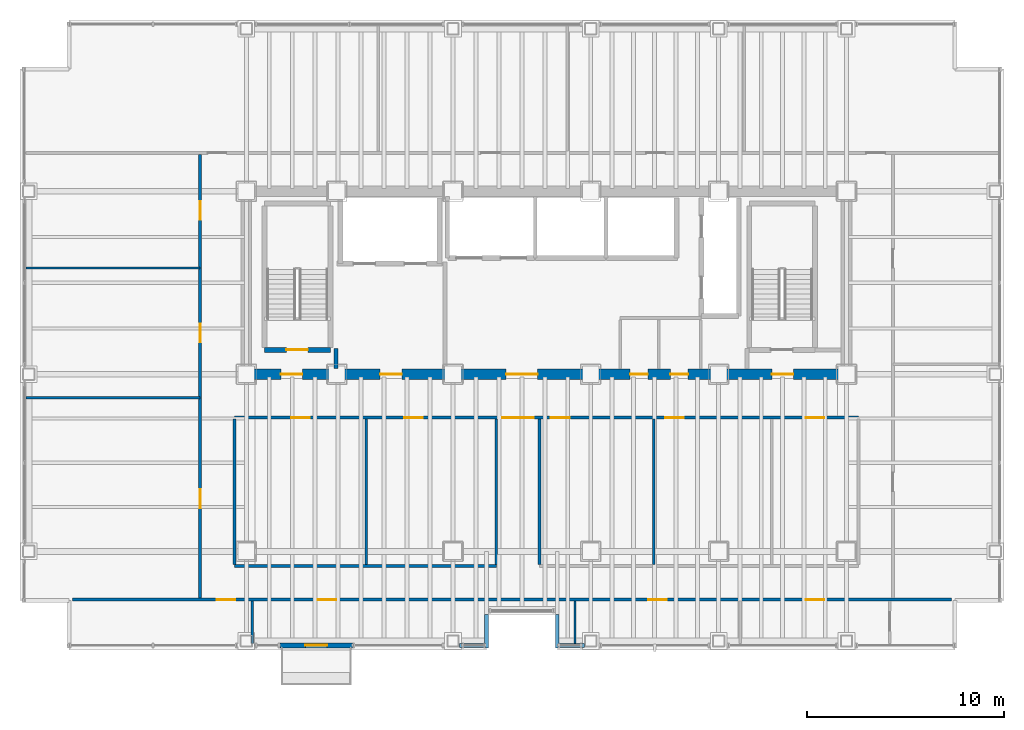
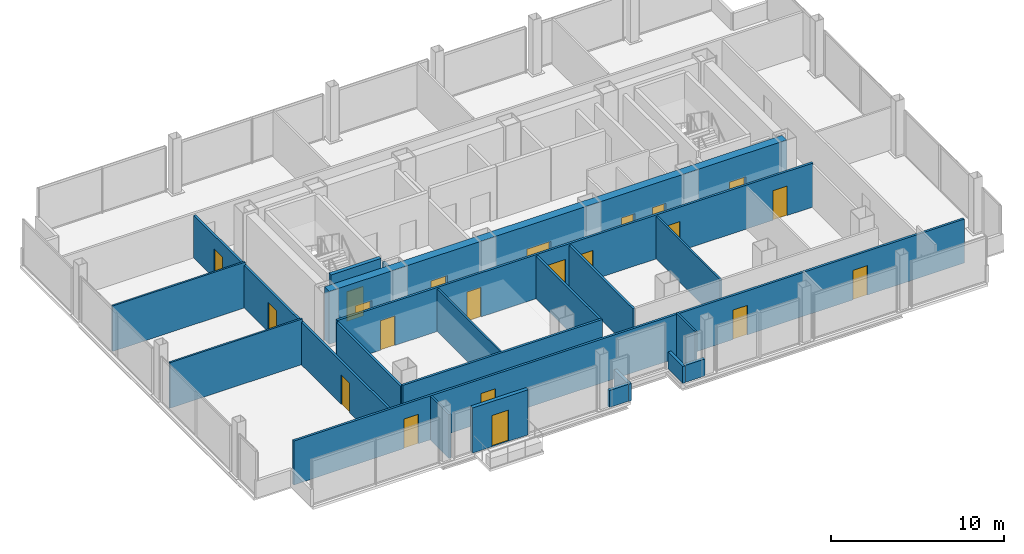
# One storey, part 18 of 21: 21 doors, 21 walls, 21 openings.
"""IFC4 building model written with IfcOpenShell, lengths in metres."""

from ifc_helpers import new_model, si_unit, direction, frame, frame_2d, origin, place, context, subcontext, project, spatial, rectangle, extrude, material, layer, layer_set, type_object, element, fill, save


model = new_model("IFC4")

# Units and contexts
model_context = context("Model", 3, precision=1e-05, world=origin(), true_north=direction((0.0, 1.0)))
body_context = subcontext(model_context, "Body", "Model", "MODEL_VIEW")
ifc_project = project(units=[si_unit("LENGTHUNIT", "METRE"), si_unit("AREAUNIT", "SQUARE_METRE"), si_unit("VOLUMEUNIT", "CUBIC_METRE"), si_unit("PLANEANGLEUNIT", "RADIAN"), si_unit("MASSUNIT", "GRAM", prefix="KILO")], contexts=[model_context])

# Site, building, storey
site_placement = place(None, origin())
site = spatial("IfcSite", under=ifc_project, at=site_placement, CompositionType="ELEMENT")
building_placement = place(site_placement, origin())
building = spatial("IfcBuilding", under=site, at=building_placement, Name="Noeulbin Bourse Tower", CompositionType="ELEMENT")
storey_placement = place(building_placement, frame((0.0, 0.0, 38.199951171875)))
storey = spatial("IfcBuildingStorey", under=building, at=storey_placement, Name="L09", CompositionType="ELEMENT", Elevation=38.199951171875)

# Wall, openings, doors
ifc_material_1 = material(Name="Concrete C60/75", Category="concrete")
ifc_layer_1 = layer(ifc_material_1, 0.550048828125)
ifc_layer_set_1 = layer_set([ifc_layer_1], Name="Concrete C60/75")
wall_type_1 = type_object("IfcWallType", Name="WAL-CORE-550", PredefinedType="SHEAR", material=ifc_layer_set_1)
wall_1_placement = place(storey_placement, frame((13.5, 29.0, 0.0), z_axis=(0.0, 0.0, 1.0), x_axis=(1.0, 0.0, 0.0)))
wall_1 = element("IfcWall", 1, at=wall_1_placement, inside=storey, type_object=wall_type_1, Name="Rear Core South Shear Wall L09", PredefinedType="SHEAR", context=body_context, shape_type="SweptSolid", body=[
    extrude(rectangle(XDim=30.5, YDim=0.550048828125, at=frame_2d((15.25, 0.0))), origin(), (0.0, 0.0, 1.0), 3.719970703125),
])
opening_1_placement = place(wall_1_placement, frame((1.75, 0.0, 0.0)))
opening_1 = element("IfcOpeningElement", 2, at=opening_1_placement, cuts=wall_1, Name="Opening FD-11", PredefinedType="OPENING", context=body_context, shape_type="SweptSolid", body=[
    extrude(rectangle(XDim=1.10009765625, YDim=2.080078125, at=frame_2d((0.550048828125, 1.0400390625))), frame((0.0, 0.284912109375, 0.0), z_axis=(0.0, -1.0, 0.0), x_axis=(1.0, 0.0, 0.0)), (0.0, 0.0, 1.0), 0.570068359375),
])
opening_2_placement = place(wall_1_placement, frame((26.699951171875, 0.0, 0.0)))
opening_2 = element("IfcOpeningElement", 3, at=opening_2_placement, cuts=wall_1, Name="Opening FD-11", PredefinedType="OPENING", context=body_context, shape_type="SweptSolid", body=[
    extrude(rectangle(XDim=1.10009765625, YDim=2.080078125, at=frame_2d((0.550048828125, 1.0400390625))), frame((0.0, 0.284912109375, 0.0), z_axis=(0.0, -1.0, 0.0), x_axis=(1.0, 0.0, 0.0)), (0.0, 0.0, 1.0), 0.570068359375),
])
opening_3_placement = place(wall_1_placement, frame((6.800048828125, 0.0, 0.0)))
opening_3 = element("IfcOpeningElement", 4, at=opening_3_placement, cuts=wall_1, Name="Opening FD-11", PredefinedType="OPENING", context=body_context, shape_type="SweptSolid", body=[
    extrude(rectangle(XDim=1.10009765625, YDim=2.080078125, at=frame_2d((0.550048828125, 1.0400390625))), frame((0.0, 0.284912109375, 0.0), z_axis=(0.0, -1.0, 0.0), x_axis=(1.0, 0.0, 0.0)), (0.0, 0.0, 1.0), 0.570068359375),
])
opening_4_placement = place(wall_1_placement, frame((13.199951171875, 0.0, 0.0)))
opening_4 = element("IfcOpeningElement", 5, at=opening_4_placement, cuts=wall_1, Name="Opening ID-16", PredefinedType="OPENING", context=body_context, shape_type="SweptSolid", body=[
    extrude(rectangle(XDim=1.60009765625, YDim=2.080078125, at=frame_2d((0.800048828125, 1.0400390625))), frame((0.0, 0.284912109375, 0.0), z_axis=(0.0, -1.0, 0.0), x_axis=(1.0, 0.0, 0.0)), (0.0, 0.0, 1.0), 0.570068359375),
])
opening_5_placement = place(wall_1_placement, frame((19.5, 0.0, 0.0)))
opening_5 = element("IfcOpeningElement", 6, at=opening_5_placement, cuts=wall_1, Name="Opening FD-09", PredefinedType="OPENING", context=body_context, shape_type="SweptSolid", body=[
    extrude(rectangle(XDim=0.89990234375, YDim=2.080078125, at=frame_2d((0.449951171875, 1.0400390625))), frame((0.0, 0.284912109375, 0.0), z_axis=(0.0, -1.0, 0.0), x_axis=(1.0, 0.0, 0.0)), (0.0, 0.0, 1.0), 0.570068359375),
])
opening_6_placement = place(wall_1_placement, frame((21.550048828125, 0.0, 0.0)))
opening_6 = element("IfcOpeningElement", 7, at=opening_6_placement, cuts=wall_1, Name="Opening FD-09", PredefinedType="OPENING", context=body_context, shape_type="SweptSolid", body=[
    extrude(rectangle(XDim=0.89990234375, YDim=2.080078125, at=frame_2d((0.449951171875, 1.0400390625))), frame((0.0, 0.284912109375, 0.0), z_axis=(0.0, -1.0, 0.0), x_axis=(1.0, 0.0, 0.0)), (0.0, 0.0, 1.0), 0.570068359375),
])
ifc_material_2 = material(Name="Acoustic Glazed Aluminium", Category="aluminium")
door_type_1 = type_object("IfcDoorType", Name="DR-DBL-1600", OperationType="DOUBLE_DOOR_SINGLE_SWING", PredefinedType="DOOR", material=ifc_material_2)
door_1_placement = place(opening_4_placement, origin())
door_1 = element("IfcDoor", 8, at=door_1_placement, inside=storey, type_object=door_type_1, Name="Passenger Lift Lobby Portal L09", OperationType="DOUBLE_DOOR_SINGLE_SWING", OverallHeight=2.080078125, OverallWidth=1.60009765625, PredefinedType="DOOR", context=body_context, shape_type="SweptSolid", body=[
    extrude(rectangle(XDim=1.60009765625, YDim=2.080078125, at=frame_2d((0.800048828125, 1.0400390625))), frame((0.0, 0.02490234375, 0.0), z_axis=(0.0, -1.0, 0.0), x_axis=(1.0, 0.0, 0.0)), (0.0, 0.0, 1.0), 0.050048828125),
])
fill(opening_4, door_1)
ifc_material_3 = material(Name="Fire-Rated Timber Core", Category="wood")
door_type_2 = type_object("IfcDoorType", Name="DR-FD30-900", OperationType="SINGLE_SWING_RIGHT", PredefinedType="DOOR", material=ifc_material_3)
door_2_placement = place(opening_5_placement, origin())
door_2 = element("IfcDoor", 9, at=door_2_placement, inside=storey, type_object=door_type_2, Name="Interior Door L09-05", OperationType="SINGLE_SWING_LEFT", OverallHeight=2.080078125, OverallWidth=0.89990234375, PredefinedType="DOOR", context=body_context, shape_type="SweptSolid", body=[
    extrude(rectangle(XDim=0.89990234375, YDim=2.080078125, at=frame_2d((0.449951171875, 1.0400390625))), frame((0.0, 0.02490234375, 0.0), z_axis=(0.0, -1.0, 0.0), x_axis=(1.0, 0.0, 0.0)), (0.0, 0.0, 1.0), 0.050048828125),
])
fill(opening_5, door_2)
door_3_placement = place(opening_6_placement, origin())
door_3 = element("IfcDoor", 10, at=door_3_placement, inside=storey, type_object=door_type_2, Name="Interior Door L09-06", OperationType="SINGLE_SWING_RIGHT", OverallHeight=2.080078125, OverallWidth=0.89990234375, PredefinedType="DOOR", context=body_context, shape_type="SweptSolid", body=[
    extrude(rectangle(XDim=0.89990234375, YDim=2.080078125, at=frame_2d((0.449951171875, 1.0400390625))), frame((0.0, 0.02490234375, 0.0), z_axis=(0.0, -1.0, 0.0), x_axis=(1.0, 0.0, 0.0)), (0.0, 0.0, 1.0), 0.050048828125),
])
fill(opening_6, door_3)
ifc_material_4 = material(Name="Fire-Rated Insulated Steel", Category="steel")
door_type_3 = type_object("IfcDoorType", Name="DR-FD60-1100", OperationType="SINGLE_SWING_LEFT", PredefinedType="DOOR", material=ifc_material_4)
door_4_placement = place(opening_1_placement, origin())
door_4 = element("IfcDoor", 11, at=door_4_placement, inside=storey, type_object=door_type_3, Name="West Stair Lobby Door L09", OperationType="SINGLE_SWING_LEFT", OverallHeight=2.080078125, OverallWidth=1.10009765625, PredefinedType="DOOR", context=body_context, shape_type="SweptSolid", body=[
    extrude(rectangle(XDim=1.10009765625, YDim=2.080078125, at=frame_2d((0.550048828125, 1.0400390625))), frame((0.0, 0.02490234375, 0.0), z_axis=(0.0, -1.0, 0.0), x_axis=(1.0, 0.0, 0.0)), (0.0, 0.0, 1.0), 0.050048828125),
])
fill(opening_1, door_4)
door_5_placement = place(opening_2_placement, origin())
door_5 = element("IfcDoor", 12, at=door_5_placement, inside=storey, type_object=door_type_3, Name="East Stair Lobby Door L09", OperationType="SINGLE_SWING_RIGHT", OverallHeight=2.080078125, OverallWidth=1.10009765625, PredefinedType="DOOR", context=body_context, shape_type="SweptSolid", body=[
    extrude(rectangle(XDim=1.10009765625, YDim=2.080078125, at=frame_2d((0.550048828125, 1.0400390625))), frame((0.0, 0.02490234375, 0.0), z_axis=(0.0, -1.0, 0.0), x_axis=(1.0, 0.0, 0.0)), (0.0, 0.0, 1.0), 0.050048828125),
])
fill(opening_2, door_5)
door_6_placement = place(opening_3_placement, origin())
door_6 = element("IfcDoor", 13, at=door_6_placement, inside=storey, type_object=door_type_3, Name="Firefighting Lobby Door L09", OperationType="SINGLE_SWING_LEFT", OverallHeight=2.080078125, OverallWidth=1.10009765625, PredefinedType="DOOR", context=body_context, shape_type="SweptSolid", body=[
    extrude(rectangle(XDim=1.10009765625, YDim=2.080078125, at=frame_2d((0.550048828125, 1.0400390625))), frame((0.0, 0.02490234375, 0.0), z_axis=(0.0, -1.0, 0.0), x_axis=(1.0, 0.0, 0.0)), (0.0, 0.0, 1.0), 0.050048828125),
])
fill(opening_3, door_6)

# Wall, opening, door
ifc_material_5 = material(Name="Precast Concrete C40/50", Category="concrete")
ifc_layer_2 = layer(ifc_material_5, 0.25)
ifc_layer_set_2 = layer_set([ifc_layer_2], Name="Precast Concrete C40/50")
wall_type_2 = type_object("IfcWallType", Name="WAL-EXT-250", PredefinedType="STANDARD", material=ifc_layer_set_2)
wall_2_placement = place(storey_placement, frame((15.199951171875, 15.219970703125, 0.0), z_axis=(0.0, 0.0, 1.0), x_axis=(1.0, 0.0, 0.0)))
wall_2 = element("IfcWall", 14, at=wall_2_placement, inside=storey, type_object=wall_type_2, Name="Balcony Threshold Wall L09", PredefinedType="STANDARD", context=body_context, shape_type="SweptSolid", body=[
    extrude(rectangle(XDim=3.699951171875, YDim=0.25, at=frame_2d((1.85009765625, 0.0))), origin(), (0.0, 0.0, 1.0), 3.179931640625),
])
opening_7_placement = place(wall_2_placement, frame((1.300048828125, 0.0, 0.0)))
opening_7 = element("IfcOpeningElement", 15, at=opening_7_placement, cuts=wall_2, Name="Opening BD-11", PredefinedType="OPENING", context=body_context, shape_type="SweptSolid", body=[
    extrude(rectangle(XDim=1.10009765625, YDim=2.199951171875, at=frame_2d((0.550048828125, 1.10009765625))), frame((0.0, 0.135009765625, 0.0), z_axis=(0.0, -1.0, 0.0), x_axis=(1.0, 0.0, 0.0)), (0.0, 0.0, 1.0), 0.27001953125),
])
ifc_material_6 = material(Name="Thermally Broken Aluminium Framed Glass", Category="aluminium")
door_type_4 = type_object("IfcDoorType", Name="DR-BAL-1100", OperationType="SINGLE_SWING_LEFT", PredefinedType="DOOR", material=ifc_material_6)
door_7_placement = place(opening_7_placement, origin())
door_7 = element("IfcDoor", 16, at=door_7_placement, inside=storey, type_object=door_type_4, Name="Tree-Balcony Access Door BD-L09", OperationType="SINGLE_SWING_LEFT", OverallHeight=2.199951171875, OverallWidth=1.10009765625, PredefinedType="DOOR", context=body_context, shape_type="SweptSolid", body=[
    extrude(rectangle(XDim=1.10009765625, YDim=2.199951171875, at=frame_2d((0.550048828125, 1.10009765625))), frame((0.0, 0.02490234375, 0.0), z_axis=(0.0, -1.0, 0.0), x_axis=(1.0, 0.0, 0.0)), (0.0, 0.0, 1.0), 0.050048828125),
])
fill(opening_7, door_7)

# Walls
ifc_material_7 = material(Name="Concrete C40/50", Category="concrete")
ifc_layer_3 = layer(ifc_material_7, 0.199951171875)
ifc_layer_set_3 = layer_set([ifc_layer_3], Name="Concrete C40/50")
wall_type_3 = type_object("IfcWallType", Name="WAL-FIRE-200", PredefinedType="STANDARD", material=ifc_layer_set_3)
wall_3_placement = place(storey_placement, frame((18.050048828125, 29.284912109375, 0.0), z_axis=(0.0, 0.0, 1.0), x_axis=(0.0, 1.0, 0.0)))
element("IfcWall", 17, at=wall_3_placement, inside=storey, type_object=wall_type_3, Name="Interior Partition Wall L09-11", PredefinedType="STANDARD", context=body_context, shape_type="SweptSolid", body=[
    extrude(rectangle(XDim=1.01513671875, YDim=0.199951171875, at=frame_2d((0.507568359375, 0.0))), origin(), (0.0, 0.0, 1.0), 3.300048828125),
])
ifc_layer_4 = layer(ifc_material_7, 0.199951171875)
ifc_layer_set_4 = layer_set([ifc_layer_4], Name="Concrete C40/50")
wall_type_4 = type_object("IfcWallType", Name="WAL-PAR-200", PredefinedType="PARAPET", material=ifc_layer_set_4)
for number, where, z_axis, x_axis, name in (
    (18, (24.320068359375, 15.219970703125, 0.0), (0.0, 0.0, 1.0), (1.0, 0.0, 0.0), "Perimeter Pier Spandrel Parapet L09-S1"),
    (19, (29.35009765625, 15.219970703125, 0.0), (0.0, 0.0, 1.0), (1.0, 0.0, 0.0), "Perimeter Pier Spandrel Parapet L09-S2"),
):
    element("IfcWall", number, at=place(storey_placement, frame(where, z_axis=z_axis, x_axis=x_axis)), inside=storey, type_object=wall_type_4, Name=name, PredefinedType="PARAPET", context=body_context, shape_type="SweptSolid", body=[
        extrude(rectangle(XDim=1.329833984375, YDim=0.199951171875, at=frame_2d((0.6650390625, 0.0))), origin(), (0.0, 0.0, 1.0), 1.199951171875),
    ])
for number, where, z_axis, x_axis, name in (
    (20, (25.699951171875, 15.10009765625, 0.0), (0.0, 0.0, 1.0), (0.0, 1.0, 0.0), "Sky-Garden Recess Parapet L09-W"),
    (21, (29.300048828125, 16.800048828125, 0.0), (0.0, 0.0, 1.0), (0.0, -1.0, 0.0), "Sky-Garden Recess Parapet L09-E"),
):
    element("IfcWall", number, at=place(storey_placement, frame(where, z_axis=z_axis, x_axis=x_axis)), inside=storey, type_object=wall_type_4, Name=name, PredefinedType="PARAPET", context=body_context, shape_type="SweptSolid", body=[
        extrude(rectangle(XDim=1.699951171875, YDim=0.199951171875, at=frame_2d((0.85009765625, 0.0))), origin(), (0.0, 0.0, 1.0), 1.199951171875),
    ])
ifc_material_8 = material(Name="Steel Stud Gypsum Partition", Category="steel")
ifc_layer_5 = layer(ifc_material_8, 0.1201171875)
ifc_layer_set_5 = layer_set([ifc_layer_5], Name="Steel Stud Gypsum Partition")
wall_type_5 = type_object("IfcWallType", Name="WAL-PRT-120", PredefinedType="PARTITIONING", material=ifc_layer_set_5)
for number, where, z_axis, x_axis, name in (
    (22, (2.31005859375, 27.800048828125, 0.0), (0.0, 0.0, 1.0), (1.0, 0.0, 0.0), "Interior Partition Wall L09-07"),
    (23, (2.31005859375, 34.39990234375, 0.0), (0.0, 0.0, 1.0), (1.0, 0.0, 0.0), "Interior Partition Wall L09-08"),
):
    element("IfcWall", number, at=place(storey_placement, frame(where, z_axis=z_axis, x_axis=x_axis)), inside=storey, type_object=wall_type_5, Name=name, PredefinedType="PARTITIONING", context=body_context, shape_type="SweptSolid", body=[
        extrude(rectangle(XDim=8.83984375, YDim=0.1201171875, at=frame_2d((4.419921875, 0.0))), origin(), (0.0, 0.0, 1.0), 3.212158203125),
    ])
wall_4_placement = place(storey_placement, frame((13.800048828125, 15.31005859375, 0.0), z_axis=(0.0, 0.0, 1.0), x_axis=(0.0, 1.0, 0.0)))
element("IfcWall", 24, at=wall_4_placement, inside=storey, type_object=wall_type_5, Name="Interior Partition Wall L09-23", PredefinedType="PARTITIONING", context=body_context, shape_type="SweptSolid", body=[
    extrude(rectangle(XDim=2.155029296875, YDim=0.1201171875, at=frame_2d((1.07763671875, 0.0))), origin(), (0.0, 0.0, 1.0), 3.10009765625),
])
wall_5_placement = place(storey_placement, frame((30.199951171875, 15.31005859375, 0.0), z_axis=(0.0, 0.0, 1.0), x_axis=(0.0, 1.0, 0.0)))
element("IfcWall", 25, at=wall_5_placement, inside=storey, type_object=wall_type_5, Name="Interior Partition Wall L09-24", PredefinedType="PARTITIONING", context=body_context, shape_type="SweptSolid", body=[
    extrude(rectangle(XDim=2.155029296875, YDim=0.1201171875, at=frame_2d((1.07763671875, 0.0))), origin(), (0.0, 0.0, 1.0), 3.212158203125),
])
for number, where, z_axis, x_axis, name in (
    (26, (19.60009765625, 19.3349609375, 0.0), (0.0, 0.0, 1.0), (0.0, 1.0, 0.0), "Interior Partition Wall L09-27"),
    (27, (34.199951171875, 19.3349609375, 0.0), (0.0, 0.0, 1.0), (0.0, 1.0, 0.0), "Interior Partition Wall L09-28"),
):
    element("IfcWall", number, at=place(storey_placement, frame(where, z_axis=z_axis, x_axis=x_axis)), inside=storey, type_object=wall_type_5, Name=name, PredefinedType="PARTITIONING", context=body_context, shape_type="SweptSolid", body=[
        extrude(rectangle(XDim=7.380126953125, YDim=0.1201171875, at=frame_2d((3.68994140625, 0.0))), origin(), (0.0, 0.0, 1.0), 3.0),
    ])

# Wall, openings, doors
ifc_material_9 = material(Name="Steel Stud Acoustic Gypsum Board", Category="steel")
ifc_layer_6 = layer(ifc_material_9, 0.14990234375)
ifc_layer_set_6 = layer_set([ifc_layer_6], Name="Steel Stud Acoustic Gypsum Board")
wall_type_6 = type_object("IfcWallType", Name="WAL-PRT-150", PredefinedType="PARTITIONING", material=ifc_layer_set_6)
wall_6_placement = place(storey_placement, frame((12.89990234375, 26.800048828125, 0.0), z_axis=(0.0, 0.0, 1.0), x_axis=(1.0, 0.0, 0.0)))
wall_6 = element("IfcWall", 28, at=wall_6_placement, inside=storey, type_object=wall_type_6, Name="Interior Partition Wall L09-03", PredefinedType="PARTITIONING", context=body_context, shape_type="SweptSolid", body=[
    extrude(rectangle(XDim=31.7001953125, YDim=0.14990234375, at=frame_2d((15.85009765625, 0.0))), origin(), (0.0, 0.0, 1.0), 3.10009765625),
])
opening_8_placement = place(wall_6_placement, frame((13.60009765625, 0.0, 0.0)))
opening_8 = element("IfcOpeningElement", 29, at=opening_8_placement, cuts=wall_6, Name="Opening ID-16", PredefinedType="OPENING", context=body_context, shape_type="SweptSolid", body=[
    extrude(rectangle(XDim=1.60009765625, YDim=2.080078125, at=frame_2d((0.800048828125, 1.0400390625))), frame((0.0, 0.0849609375, 0.0), z_axis=(0.0, -1.0, 0.0), x_axis=(1.0, 0.0, 0.0)), (0.0, 0.0, 1.0), 0.169921875),
])
opening_9_placement = place(wall_6_placement, frame((2.875, 0.0, 0.0)))
opening_9 = element("IfcOpeningElement", 30, at=opening_9_placement, cuts=wall_6, Name="Opening ID-09", PredefinedType="OPENING", context=body_context, shape_type="SweptSolid", body=[
    extrude(rectangle(XDim=0.949951171875, YDim=2.080078125, at=frame_2d((0.47509765625, 1.0400390625))), frame((0.0, 0.0849609375, 0.0), z_axis=(0.0, -1.0, 0.0), x_axis=(1.0, 0.0, 0.0)), (0.0, 0.0, 1.0), 0.169921875),
])
opening_10_placement = place(wall_6_placement, frame((8.625, 0.0, 0.0)))
opening_10 = element("IfcOpeningElement", 31, at=opening_10_placement, cuts=wall_6, Name="Opening ID-09", PredefinedType="OPENING", context=body_context, shape_type="SweptSolid", body=[
    extrude(rectangle(XDim=0.949951171875, YDim=2.080078125, at=frame_2d((0.47509765625, 1.0400390625))), frame((0.0, 0.0849609375, 0.0), z_axis=(0.0, -1.0, 0.0), x_axis=(1.0, 0.0, 0.0)), (0.0, 0.0, 1.0), 0.169921875),
])
opening_11_placement = place(wall_6_placement, frame((16.074951171875, 0.0, 0.0)))
opening_11 = element("IfcOpeningElement", 32, at=opening_11_placement, cuts=wall_6, Name="Opening ID-09", PredefinedType="OPENING", context=body_context, shape_type="SweptSolid", body=[
    extrude(rectangle(XDim=0.949951171875, YDim=2.080078125, at=frame_2d((0.47509765625, 1.0400390625))), frame((0.0, 0.0849609375, 0.0), z_axis=(0.0, -1.0, 0.0), x_axis=(1.0, 0.0, 0.0)), (0.0, 0.0, 1.0), 0.169921875),
])
opening_12_placement = place(wall_6_placement, frame((21.875, 0.0, 0.0)))
opening_12 = element("IfcOpeningElement", 33, at=opening_12_placement, cuts=wall_6, Name="Opening ID-09", PredefinedType="OPENING", context=body_context, shape_type="SweptSolid", body=[
    extrude(rectangle(XDim=0.949951171875, YDim=2.080078125, at=frame_2d((0.47509765625, 1.0400390625))), frame((0.0, 0.0849609375, 0.0), z_axis=(0.0, -1.0, 0.0), x_axis=(1.0, 0.0, 0.0)), (0.0, 0.0, 1.0), 0.169921875),
])
opening_13_placement = place(wall_6_placement, frame((29.02490234375, 0.0, 0.0)))
opening_13 = element("IfcOpeningElement", 34, at=opening_13_placement, cuts=wall_6, Name="Opening ID-09", PredefinedType="OPENING", context=body_context, shape_type="SweptSolid", body=[
    extrude(rectangle(XDim=0.949951171875, YDim=2.080078125, at=frame_2d((0.47509765625, 1.0400390625))), frame((0.0, 0.0849609375, 0.0), z_axis=(0.0, -1.0, 0.0), x_axis=(1.0, 0.0, 0.0)), (0.0, 0.0, 1.0), 0.169921875),
])
door_8_placement = place(opening_8_placement, origin())
door_8 = element("IfcDoor", 35, at=door_8_placement, inside=storey, type_object=door_type_1, Name="Interior Door L09-07", OperationType="DOUBLE_DOOR_SINGLE_SWING", OverallHeight=2.080078125, OverallWidth=1.60009765625, PredefinedType="DOOR", context=body_context, shape_type="SweptSolid", body=[
    extrude(rectangle(XDim=1.60009765625, YDim=2.080078125, at=frame_2d((0.800048828125, 1.0400390625))), frame((0.0, 0.02490234375, 0.0), z_axis=(0.0, -1.0, 0.0), x_axis=(1.0, 0.0, 0.0)), (0.0, 0.0, 1.0), 0.050048828125),
])
fill(opening_8, door_8)
ifc_material_10 = material(Name="Acoustic Solid-Core Timber", Category="wood")
door_type_5 = type_object("IfcDoorType", Name="DR-SINGLE-950", OperationType="SINGLE_SWING_LEFT", PredefinedType="DOOR", material=ifc_material_10)
door_9_placement = place(opening_9_placement, origin())
door_9 = element("IfcDoor", 36, at=door_9_placement, inside=storey, type_object=door_type_5, Name="Interior Door L09-13", OperationType="SINGLE_SWING_LEFT", OverallHeight=2.080078125, OverallWidth=0.949951171875, PredefinedType="DOOR", context=body_context, shape_type="SweptSolid", body=[
    extrude(rectangle(XDim=0.949951171875, YDim=2.080078125, at=frame_2d((0.47509765625, 1.0400390625))), frame((0.0, 0.02490234375, 0.0), z_axis=(0.0, -1.0, 0.0), x_axis=(1.0, 0.0, 0.0)), (0.0, 0.0, 1.0), 0.050048828125),
])
fill(opening_9, door_9)
door_10_placement = place(opening_10_placement, origin())
door_10 = element("IfcDoor", 37, at=door_10_placement, inside=storey, type_object=door_type_5, Name="Interior Door L09-14", OperationType="SINGLE_SWING_RIGHT", OverallHeight=2.080078125, OverallWidth=0.949951171875, PredefinedType="DOOR", context=body_context, shape_type="SweptSolid", body=[
    extrude(rectangle(XDim=0.949951171875, YDim=2.080078125, at=frame_2d((0.47509765625, 1.0400390625))), frame((0.0, 0.02490234375, 0.0), z_axis=(0.0, -1.0, 0.0), x_axis=(1.0, 0.0, 0.0)), (0.0, 0.0, 1.0), 0.050048828125),
])
fill(opening_10, door_10)
door_11_placement = place(opening_11_placement, origin())
door_11 = element("IfcDoor", 38, at=door_11_placement, inside=storey, type_object=door_type_5, Name="Interior Door L09-15", OperationType="SINGLE_SWING_LEFT", OverallHeight=2.080078125, OverallWidth=0.949951171875, PredefinedType="DOOR", context=body_context, shape_type="SweptSolid", body=[
    extrude(rectangle(XDim=0.949951171875, YDim=2.080078125, at=frame_2d((0.47509765625, 1.0400390625))), frame((0.0, 0.02490234375, 0.0), z_axis=(0.0, -1.0, 0.0), x_axis=(1.0, 0.0, 0.0)), (0.0, 0.0, 1.0), 0.050048828125),
])
fill(opening_11, door_11)
door_12_placement = place(opening_12_placement, origin())
door_12 = element("IfcDoor", 39, at=door_12_placement, inside=storey, type_object=door_type_5, Name="Interior Door L09-16", OperationType="SINGLE_SWING_RIGHT", OverallHeight=2.080078125, OverallWidth=0.949951171875, PredefinedType="DOOR", context=body_context, shape_type="SweptSolid", body=[
    extrude(rectangle(XDim=0.949951171875, YDim=2.080078125, at=frame_2d((0.47509765625, 1.0400390625))), frame((0.0, 0.02490234375, 0.0), z_axis=(0.0, -1.0, 0.0), x_axis=(1.0, 0.0, 0.0)), (0.0, 0.0, 1.0), 0.050048828125),
])
fill(opening_12, door_12)
door_13_placement = place(opening_13_placement, origin())
door_13 = element("IfcDoor", 40, at=door_13_placement, inside=storey, type_object=door_type_5, Name="Interior Door L09-17", OperationType="SINGLE_SWING_LEFT", OverallHeight=2.080078125, OverallWidth=0.949951171875, PredefinedType="DOOR", context=body_context, shape_type="SweptSolid", body=[
    extrude(rectangle(XDim=0.949951171875, YDim=2.080078125, at=frame_2d((0.47509765625, 1.0400390625))), frame((0.0, 0.02490234375, 0.0), z_axis=(0.0, -1.0, 0.0), x_axis=(1.0, 0.0, 0.0)), (0.0, 0.0, 1.0), 0.050048828125),
])
fill(opening_13, door_13)

wall_7_placement = place(storey_placement, frame((4.659912109375, 17.550048828125, 0.0), z_axis=(0.0, 0.0, 1.0), x_axis=(1.0, 0.0, 0.0)))
wall_7 = element("IfcWall", 41, at=wall_7_placement, inside=storey, type_object=wall_type_6, Name="Interior Partition Wall L09-04", PredefinedType="PARTITIONING", context=body_context, shape_type="SweptSolid", body=[
    extrude(rectangle(XDim=44.68017578125, YDim=0.14990234375, at=frame_2d((22.340087890625, 0.0))), origin(), (0.0, 0.0, 1.0), 3.10009765625),
])
opening_14_placement = place(wall_7_placement, frame((7.340087890625, 0.0, 0.0)))
opening_14 = element("IfcOpeningElement", 42, at=opening_14_placement, cuts=wall_7, Name="Opening ID-09", PredefinedType="OPENING", context=body_context, shape_type="SweptSolid", body=[
    extrude(rectangle(XDim=0.949951171875, YDim=2.080078125, at=frame_2d((0.47509765625, 1.0400390625))), frame((0.0, 0.0849609375, 0.0), z_axis=(0.0, -1.0, 0.0), x_axis=(1.0, 0.0, 0.0)), (0.0, 0.0, 1.0), 0.169921875),
])
opening_15_placement = place(wall_7_placement, frame((12.465087890625, 0.0, 0.0)))
opening_15 = element("IfcOpeningElement", 43, at=opening_15_placement, cuts=wall_7, Name="Opening ID-09", PredefinedType="OPENING", context=body_context, shape_type="SweptSolid", body=[
    extrude(rectangle(XDim=0.949951171875, YDim=2.080078125, at=frame_2d((0.47509765625, 1.0400390625))), frame((0.0, 0.0849609375, 0.0), z_axis=(0.0, -1.0, 0.0), x_axis=(1.0, 0.0, 0.0)), (0.0, 0.0, 1.0), 0.169921875),
])
opening_16_placement = place(wall_7_placement, frame((29.264892578125, 0.0, 0.0)))
opening_16 = element("IfcOpeningElement", 44, at=opening_16_placement, cuts=wall_7, Name="Opening ID-09", PredefinedType="OPENING", context=body_context, shape_type="SweptSolid", body=[
    extrude(rectangle(XDim=0.949951171875, YDim=2.080078125, at=frame_2d((0.47509765625, 1.0400390625))), frame((0.0, 0.0849609375, 0.0), z_axis=(0.0, -1.0, 0.0), x_axis=(1.0, 0.0, 0.0)), (0.0, 0.0, 1.0), 0.169921875),
])
opening_17_placement = place(wall_7_placement, frame((37.264892578125, 0.0, 0.0)))
opening_17 = element("IfcOpeningElement", 45, at=opening_17_placement, cuts=wall_7, Name="Opening ID-09", PredefinedType="OPENING", context=body_context, shape_type="SweptSolid", body=[
    extrude(rectangle(XDim=0.949951171875, YDim=2.080078125, at=frame_2d((0.47509765625, 1.0400390625))), frame((0.0, 0.0849609375, 0.0), z_axis=(0.0, -1.0, 0.0), x_axis=(1.0, 0.0, 0.0)), (0.0, 0.0, 1.0), 0.169921875),
])
door_14_placement = place(opening_14_placement, origin())
door_14 = element("IfcDoor", 46, at=door_14_placement, inside=storey, type_object=door_type_5, Name="Interior Door L09-08", OperationType="SINGLE_SWING_RIGHT", OverallHeight=2.080078125, OverallWidth=0.949951171875, PredefinedType="DOOR", context=body_context, shape_type="SweptSolid", body=[
    extrude(rectangle(XDim=0.949951171875, YDim=2.080078125, at=frame_2d((0.47509765625, 1.0400390625))), frame((0.0, 0.02490234375, 0.0), z_axis=(0.0, -1.0, 0.0), x_axis=(1.0, 0.0, 0.0)), (0.0, 0.0, 1.0), 0.050048828125),
])
fill(opening_14, door_14)
door_15_placement = place(opening_15_placement, origin())
door_15 = element("IfcDoor", 47, at=door_15_placement, inside=storey, type_object=door_type_5, Name="Interior Door L09-09", OperationType="SINGLE_SWING_LEFT", OverallHeight=2.080078125, OverallWidth=0.949951171875, PredefinedType="DOOR", context=body_context, shape_type="SweptSolid", body=[
    extrude(rectangle(XDim=0.949951171875, YDim=2.080078125, at=frame_2d((0.47509765625, 1.0400390625))), frame((0.0, 0.02490234375, 0.0), z_axis=(0.0, -1.0, 0.0), x_axis=(1.0, 0.0, 0.0)), (0.0, 0.0, 1.0), 0.050048828125),
])
fill(opening_15, door_15)
door_16_placement = place(opening_16_placement, origin())
door_16 = element("IfcDoor", 48, at=door_16_placement, inside=storey, type_object=door_type_5, Name="Interior Door L09-10", OperationType="SINGLE_SWING_RIGHT", OverallHeight=2.080078125, OverallWidth=0.949951171875, PredefinedType="DOOR", context=body_context, shape_type="SweptSolid", body=[
    extrude(rectangle(XDim=0.949951171875, YDim=2.080078125, at=frame_2d((0.47509765625, 1.0400390625))), frame((0.0, 0.02490234375, 0.0), z_axis=(0.0, -1.0, 0.0), x_axis=(1.0, 0.0, 0.0)), (0.0, 0.0, 1.0), 0.050048828125),
])
fill(opening_16, door_16)
door_17_placement = place(opening_17_placement, origin())
door_17 = element("IfcDoor", 49, at=door_17_placement, inside=storey, type_object=door_type_5, Name="Interior Door L09-11", OperationType="SINGLE_SWING_LEFT", OverallHeight=2.080078125, OverallWidth=0.949951171875, PredefinedType="DOOR", context=body_context, shape_type="SweptSolid", body=[
    extrude(rectangle(XDim=0.949951171875, YDim=2.080078125, at=frame_2d((0.47509765625, 1.0400390625))), frame((0.0, 0.02490234375, 0.0), z_axis=(0.0, -1.0, 0.0), x_axis=(1.0, 0.0, 0.0)), (0.0, 0.0, 1.0), 0.050048828125),
])
fill(opening_17, door_17)

# Walls
wall_8_placement = place(storey_placement, frame((12.89990234375, 19.25, 0.0), z_axis=(0.0, 0.0, 1.0), x_axis=(1.0, 0.0, 0.0)))
element("IfcWall", 50, at=wall_8_placement, inside=storey, type_object=wall_type_6, Name="Interior Partition Wall L09-05", PredefinedType="PARTITIONING", context=body_context, shape_type="SweptSolid", body=[
    extrude(rectangle(XDim=13.300048828125, YDim=0.14990234375, at=frame_2d((6.64990234375, 0.0))), origin(), (0.0, 0.0, 1.0), 3.10009765625),
])
for number, where, z_axis, x_axis, name in (
    (51, (26.199951171875, 19.3349609375, 0.0), (0.0, 0.0, 1.0), (0.0, 1.0, 0.0), "Interior Partition Wall L09-17"),
    (52, (28.39990234375, 19.3349609375, 0.0), (0.0, 0.0, 1.0), (0.0, 1.0, 0.0), "Interior Partition Wall L09-18"),
):
    element("IfcWall", number, at=place(storey_placement, frame(where, z_axis=z_axis, x_axis=x_axis)), inside=storey, type_object=wall_type_6, Name=name, PredefinedType="PARTITIONING", context=body_context, shape_type="SweptSolid", body=[
        extrude(rectangle(XDim=7.380126953125, YDim=0.14990234375, at=frame_2d((3.68994140625, 0.0))), origin(), (0.0, 0.0, 1.0), 3.0),
    ])

# Wall, openings, doors
wall_9_placement = place(storey_placement, frame((11.14990234375, 17.635009765625, 0.0), z_axis=(0.0, 0.0, 1.0), x_axis=(0.0, 1.0, 0.0)))
wall_9 = element("IfcWall", 53, at=wall_9_placement, inside=storey, type_object=wall_type_6, Name="Interior Partition Wall L09-19", PredefinedType="PARTITIONING", context=body_context, shape_type="SweptSolid", body=[
    extrude(rectangle(XDim=22.530029296875, YDim=0.14990234375, at=frame_2d((11.26513671875, 0.0))), origin(), (0.0, 0.0, 1.0), 3.0),
])
opening_18_placement = place(wall_9_placement, frame((4.56494140625, 0.0, 0.0)))
opening_18 = element("IfcOpeningElement", 54, at=opening_18_placement, cuts=wall_9, Name="Opening ID-09", PredefinedType="OPENING", context=body_context, shape_type="SweptSolid", body=[
    extrude(rectangle(XDim=0.949951171875, YDim=2.080078125, at=frame_2d((0.47509765625, 1.0400390625))), frame((0.0, 0.0849609375, 0.0), z_axis=(0.0, -1.0, 0.0), x_axis=(1.0, 0.0, 0.0)), (0.0, 0.0, 1.0), 0.169921875),
])
opening_19_placement = place(wall_9_placement, frame((12.989990234375, 0.0, 0.0)))
opening_19 = element("IfcOpeningElement", 55, at=opening_19_placement, cuts=wall_9, Name="Opening ID-09", PredefinedType="OPENING", context=body_context, shape_type="SweptSolid", body=[
    extrude(rectangle(XDim=0.949951171875, YDim=2.080078125, at=frame_2d((0.47509765625, 1.0400390625))), frame((0.0, 0.0849609375, 0.0), z_axis=(0.0, -1.0, 0.0), x_axis=(1.0, 0.0, 0.0)), (0.0, 0.0, 1.0), 0.169921875),
])
opening_20_placement = place(wall_9_placement, frame((19.215087890625, 0.0, 0.0)))
opening_20 = element("IfcOpeningElement", 56, at=opening_20_placement, cuts=wall_9, Name="Opening ID-09", PredefinedType="OPENING", context=body_context, shape_type="SweptSolid", body=[
    extrude(rectangle(XDim=0.949951171875, YDim=2.080078125, at=frame_2d((0.47509765625, 1.0400390625))), frame((0.0, 0.0849609375, 0.0), z_axis=(0.0, -1.0, 0.0), x_axis=(1.0, 0.0, 0.0)), (0.0, 0.0, 1.0), 0.169921875),
])
door_18_placement = place(opening_18_placement, origin())
door_18 = element("IfcDoor", 57, at=door_18_placement, inside=storey, type_object=door_type_5, Name="Interior Door L09-18", OperationType="SINGLE_SWING_RIGHT", OverallHeight=2.080078125, OverallWidth=0.949951171875, PredefinedType="DOOR", context=body_context, shape_type="SweptSolid", body=[
    extrude(rectangle(XDim=0.949951171875, YDim=2.080078125, at=frame_2d((0.47509765625, 1.0400390625))), frame((0.0, 0.02490234375, 0.0), z_axis=(0.0, -1.0, 0.0), x_axis=(1.0, 0.0, 0.0)), (0.0, 0.0, 1.0), 0.050048828125),
])
fill(opening_18, door_18)
door_19_placement = place(opening_19_placement, origin())
door_19 = element("IfcDoor", 58, at=door_19_placement, inside=storey, type_object=door_type_5, Name="Interior Door L09-19", OperationType="SINGLE_SWING_LEFT", OverallHeight=2.080078125, OverallWidth=0.949951171875, PredefinedType="DOOR", context=body_context, shape_type="SweptSolid", body=[
    extrude(rectangle(XDim=0.949951171875, YDim=2.080078125, at=frame_2d((0.47509765625, 1.0400390625))), frame((0.0, 0.02490234375, 0.0), z_axis=(0.0, -1.0, 0.0), x_axis=(1.0, 0.0, 0.0)), (0.0, 0.0, 1.0), 0.050048828125),
])
fill(opening_19, door_19)
door_20_placement = place(opening_20_placement, origin())
door_20 = element("IfcDoor", 59, at=door_20_placement, inside=storey, type_object=door_type_5, Name="Interior Door L09-20", OperationType="SINGLE_SWING_RIGHT", OverallHeight=2.080078125, OverallWidth=0.949951171875, PredefinedType="DOOR", context=body_context, shape_type="SweptSolid", body=[
    extrude(rectangle(XDim=0.949951171875, YDim=2.080078125, at=frame_2d((0.47509765625, 1.0400390625))), frame((0.0, 0.02490234375, 0.0), z_axis=(0.0, -1.0, 0.0), x_axis=(1.0, 0.0, 0.0)), (0.0, 0.0, 1.0), 0.050048828125),
])
fill(opening_20, door_20)

# Wall
wall_10_placement = place(storey_placement, frame((12.89990234375, 19.3349609375, 0.0), z_axis=(0.0, 0.0, 1.0), x_axis=(0.0, 1.0, 0.0)))
element("IfcWall", 60, at=wall_10_placement, inside=storey, type_object=wall_type_6, Name="Interior Partition Wall L09-20", PredefinedType="PARTITIONING", context=body_context, shape_type="SweptSolid", body=[
    extrude(rectangle(XDim=7.380126953125, YDim=0.14990234375, at=frame_2d((3.68994140625, 0.0))), origin(), (0.0, 0.0, 1.0), 3.0),
])

# Wall, opening, door
ifc_layer_7 = layer(ifc_material_7, 0.25)
ifc_layer_set_7 = layer_set([ifc_layer_7], Name="Concrete C40/50")
wall_type_7 = type_object("IfcWallType", Name="WAL-SHFT-250", PredefinedType="STANDARD", material=ifc_layer_set_7)
wall_11_placement = place(storey_placement, frame((14.429931640625, 30.235107421875, 0.0), z_axis=(0.0, 0.0, 1.0), x_axis=(1.0, 0.0, 0.0)))
wall_11 = element("IfcWall", 61, at=wall_11_placement, inside=storey, type_object=wall_type_7, Name="Stair ST-1 South Shaft Wall L09", PredefinedType="STANDARD", context=body_context, shape_type="SweptSolid", body=[
    extrude(rectangle(XDim=3.340087890625, YDim=0.25, at=frame_2d((1.669921875, 0.0))), origin(), (0.0, 0.0, 1.0), 3.719970703125),
])
opening_21_placement = place(wall_11_placement, frame((1.10009765625, 0.0, 0.0)))
opening_21 = element("IfcOpeningElement", 62, at=opening_21_placement, cuts=wall_11, Name="Opening FD-11", PredefinedType="OPENING", context=body_context, shape_type="SweptSolid", body=[
    extrude(rectangle(XDim=1.10009765625, YDim=2.080078125, at=frame_2d((0.550048828125, 1.0400390625))), frame((0.0, 0.135009765625, 0.0), z_axis=(0.0, -1.0, 0.0), x_axis=(1.0, 0.0, 0.0)), (0.0, 0.0, 1.0), 0.27001953125),
])
door_21_placement = place(opening_21_placement, origin())
door_21 = element("IfcDoor", 63, at=door_21_placement, inside=storey, type_object=door_type_3, Name="Protected Stair Entry Door ST1-L09", OperationType="SINGLE_SWING_LEFT", OverallHeight=2.080078125, OverallWidth=1.10009765625, PredefinedType="DOOR", context=body_context, shape_type="SweptSolid", body=[
    extrude(rectangle(XDim=1.10009765625, YDim=2.080078125, at=frame_2d((0.550048828125, 1.0400390625))), frame((0.0, 0.02490234375, 0.0), z_axis=(0.0, -1.0, 0.0), x_axis=(1.0, 0.0, 0.0)), (0.0, 0.0, 1.0), 0.050048828125),
])
fill(opening_21, door_21)

save(model, "model.ifc")
